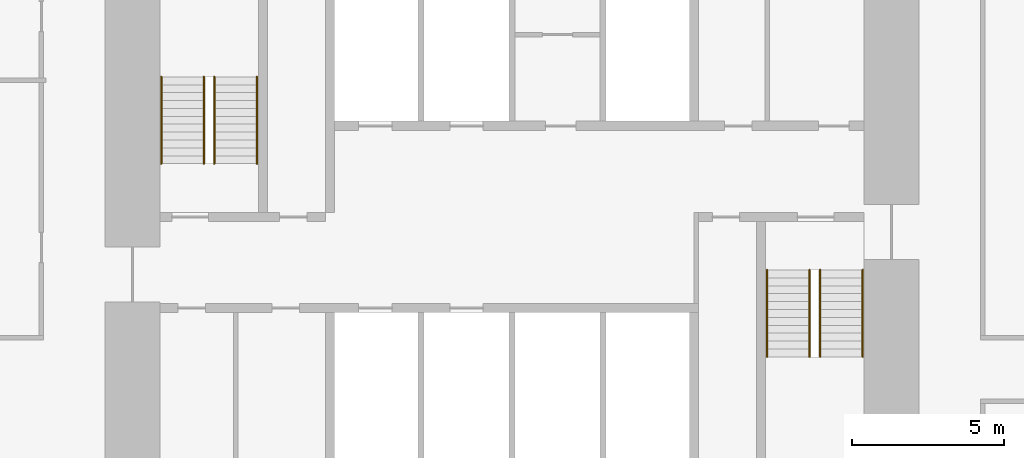
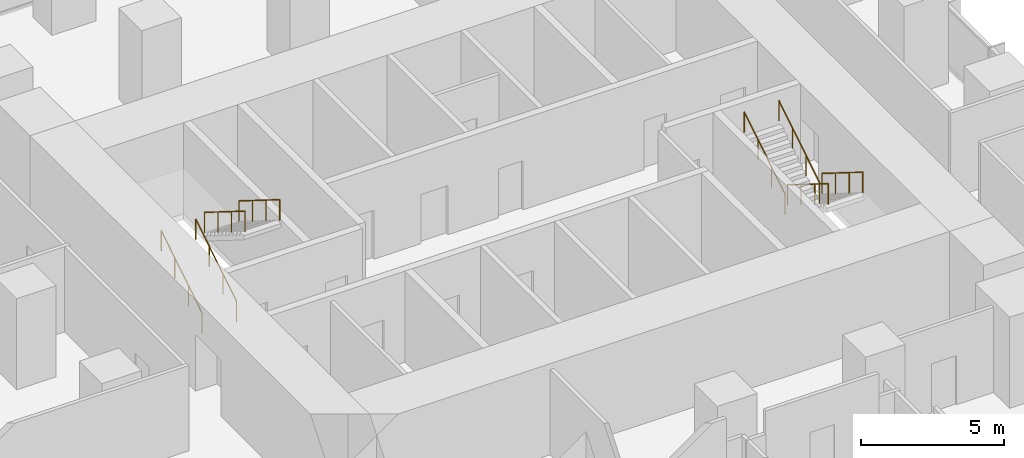
# One storey, part 13 of 13: 8 railings.
"""IFC4 building model written with IfcOpenShell, lengths in metres."""

from ifc_helpers import new_model, si_unit, direction, frame, origin, origin_2d, place, context, subcontext, project, spatial, circle, extrude, material, type_object, element, save


model = new_model("IFC4")

# Units and contexts
model_context = context("Model", 3, precision=1e-05, world=origin(), true_north=direction((0.0, 1.0)))
body_context = subcontext(model_context, "Body", "Model", "MODEL_VIEW")
ifc_project = project(units=[si_unit("LENGTHUNIT", "METRE"), si_unit("AREAUNIT", "SQUARE_METRE"), si_unit("VOLUMEUNIT", "CUBIC_METRE"), si_unit("PLANEANGLEUNIT", "RADIAN"), si_unit("MASSUNIT", "GRAM", prefix="KILO")], contexts=[model_context])

# Site, building, storey
site_placement = place(None, origin())
site = spatial("IfcSite", under=ifc_project, at=site_placement, CompositionType="ELEMENT")
building_placement = place(site_placement, origin())
building = spatial("IfcBuilding", under=site, at=building_placement, Name="Highveld Stack Headquarters", CompositionType="ELEMENT")
storey_placement = place(building_placement, frame((0.0, 0.0, 136.699951171875)))
storey = spatial("IfcBuildingStorey", under=building, at=storey_placement, Name="L33", CompositionType="ELEMENT", Elevation=136.699951171875)

# Railings
ifc_material = material(Name="Stainless steel handrail", Category="steel")
railing_type = type_object("IfcRailingType", Name="STAIR HANDRAIL HR1 900", PredefinedType="HANDRAIL", material=ifc_material)
for number, where, name in (
    (1, (-5.550048828125, 4.75, 0.16259765625), "Handrail S1 L33 flight 1"),
    (2, (-4.14990234375, 4.75, 0.16259765625), "Handrail S1 L33 flight 1"),
):
    element("IfcRailing", number, at=place(storey_placement, frame(where)), inside=storey, type_object=railing_type, Name=name, PredefinedType="HANDRAIL", context=body_context, shape_type="SweptSolid", body=[
        extrude(circle(Radius=0.02392578125, at=origin_2d()), frame((0.0, 0.0, 0.8759765625), z_axis=(0.0, 0.848026770018, 0.529953391661), x_axis=(-1.0, 0.0, 0.0)), (0.0, 0.0, 1.0), 3.37255859375),
        extrude(circle(Radius=0.02099609375, at=origin_2d()), origin(), (0.0, 0.0, 1.0), 0.851806640625),
        extrude(circle(Radius=0.02099609375, at=origin_2d()), frame((0.0, 0.953369140625, 0.595703125)), (0.0, 0.0, 1.0), 0.851806640625),
        extrude(circle(Radius=0.02099609375, at=origin_2d()), frame((0.0, 1.90673828125, 1.191650390625)), (0.0, 0.0, 1.0), 0.851806640625),
        extrude(circle(Radius=0.02099609375, at=origin_2d()), frame((0.0, 2.860107421875, 1.787353515625)), (0.0, 0.0, 1.0), 0.851806640625),
    ])
for number, where, name in (
    (3, (-3.800048828125, 7.610107421875, 2.112548828125), "Handrail S1 L33 flight 2"),
    (4, (-2.39990234375, 7.610107421875, 2.112548828125), "Handrail S1 L33 flight 2"),
):
    element("IfcRailing", number, at=place(storey_placement, frame(where)), inside=storey, type_object=railing_type, Name=name, PredefinedType="HANDRAIL", context=body_context, shape_type="SweptSolid", body=[
        extrude(circle(Radius=0.02392578125, at=origin_2d()), frame((0.0, 0.0, 0.8759765625), z_axis=(0.0, -0.847994237388, 0.530005446535), x_axis=(1.0, 0.0, 0.0)), (0.0, 0.0, 1.0), 3.372802734375),
        extrude(circle(Radius=0.02099609375, at=origin_2d()), origin(), (0.0, 0.0, 1.0), 0.851806640625),
        extrude(circle(Radius=0.02099609375, at=origin_2d()), frame((0.0, -0.953369140625, 0.595947265625)), (0.0, 0.0, 1.0), 0.851806640625),
        extrude(circle(Radius=0.02099609375, at=origin_2d()), frame((0.0, -1.90673828125, 1.191650390625)), (0.0, 0.0, 1.0), 0.851806640625),
        extrude(circle(Radius=0.02099609375, at=origin_2d()), frame((0.0, -2.860107421875, 1.78759765625)), (0.0, 0.0, 1.0), 0.851806640625),
    ])
for number, where, name in (
    (5, (16.14990234375, 1.25, 0.16259765625), "Handrail S2 L33 flight 1"),
    (6, (17.550048828125, 1.25, 0.16259765625), "Handrail S2 L33 flight 1"),
):
    element("IfcRailing", number, at=place(storey_placement, frame(where)), inside=storey, type_object=railing_type, Name=name, PredefinedType="HANDRAIL", context=body_context, shape_type="SweptSolid", body=[
        extrude(circle(Radius=0.02392578125, at=origin_2d()), frame((0.0, 0.0, 0.8759765625), z_axis=(0.0, -0.848026770018, 0.529953391661), x_axis=(1.0, 0.0, 0.0)), (0.0, 0.0, 1.0), 3.37255859375),
        extrude(circle(Radius=0.02099609375, at=origin_2d()), origin(), (0.0, 0.0, 1.0), 0.851806640625),
        extrude(circle(Radius=0.02099609375, at=origin_2d()), frame((0.0, -0.953369140625, 0.595703125)), (0.0, 0.0, 1.0), 0.851806640625),
        extrude(circle(Radius=0.02099609375, at=origin_2d()), frame((0.0, -1.90673828125, 1.191650390625)), (0.0, 0.0, 1.0), 0.851806640625),
        extrude(circle(Radius=0.02099609375, at=origin_2d()), frame((0.0, -2.860107421875, 1.787353515625)), (0.0, 0.0, 1.0), 0.851806640625),
    ])
for number, where, name in (
    (7, (14.39990234375, -1.610107421875, 2.112548828125), "Handrail S2 L33 flight 2"),
    (8, (15.800048828125, -1.610107421875, 2.112548828125), "Handrail S2 L33 flight 2"),
):
    element("IfcRailing", number, at=place(storey_placement, frame(where)), inside=storey, type_object=railing_type, Name=name, PredefinedType="HANDRAIL", context=body_context, shape_type="SweptSolid", body=[
        extrude(circle(Radius=0.02392578125, at=origin_2d()), frame((0.0, 0.0, 0.8759765625), z_axis=(0.0, 0.847994237388, 0.530005446535), x_axis=(-1.0, 0.0, 0.0)), (0.0, 0.0, 1.0), 3.372802734375),
        extrude(circle(Radius=0.02099609375, at=origin_2d()), origin(), (0.0, 0.0, 1.0), 0.851806640625),
        extrude(circle(Radius=0.02099609375, at=origin_2d()), frame((0.0, 0.953369140625, 0.595947265625)), (0.0, 0.0, 1.0), 0.851806640625),
        extrude(circle(Radius=0.02099609375, at=origin_2d()), frame((0.0, 1.90673828125, 1.191650390625)), (0.0, 0.0, 1.0), 0.851806640625),
        extrude(circle(Radius=0.02099609375, at=origin_2d()), frame((0.0, 2.860107421875, 1.78759765625)), (0.0, 0.0, 1.0), 0.851806640625),
    ])

save(model, "model.ifc")
